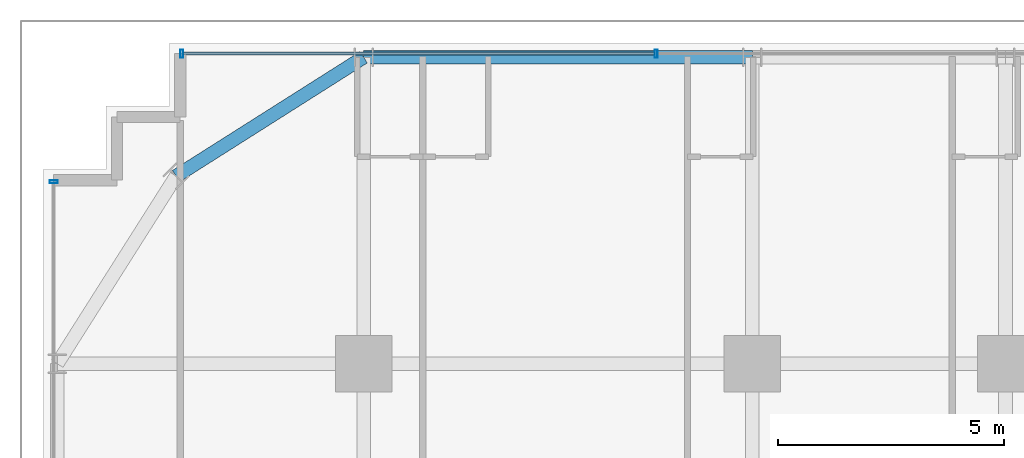
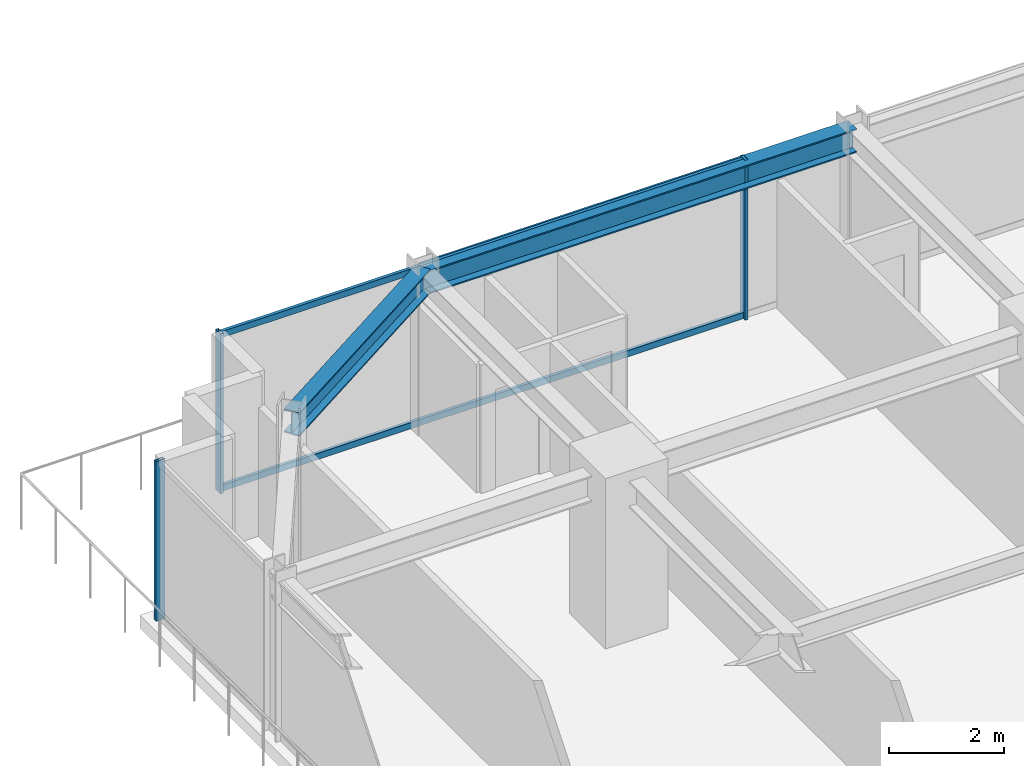
# One storey, part 19 of 34: 5 members, 2 beams, 2 elements without a shape of their own.
"""IFC4 building model written with IfcOpenShell, lengths in metres."""

from ifc_helpers import new_model, si_unit, direction, frame, origin, origin_2d, place, context, subcontext, project, spatial, hollow_rectangle, i_section, extrude, source, transform, mapped, material, material_profile, profile_set, type_object, element, aggregate, save


model = new_model("IFC4")

# Units and contexts
model_context = context("Model", 3, precision=1e-05, world=origin(), true_north=direction((0.0, 1.0)))
body_context = subcontext(model_context, "Body", "Model", "MODEL_VIEW")
ifc_project = project(units=[si_unit("LENGTHUNIT", "METRE"), si_unit("AREAUNIT", "SQUARE_METRE"), si_unit("VOLUMEUNIT", "CUBIC_METRE"), si_unit("PLANEANGLEUNIT", "RADIAN"), si_unit("MASSUNIT", "GRAM", prefix="KILO")], contexts=[model_context])

# Site, building, storey
site_placement = place(None, origin())
site = spatial("IfcSite", under=ifc_project, at=site_placement, CompositionType="ELEMENT")
building_placement = place(site_placement, origin())
building = spatial("IfcBuilding", under=site, at=building_placement, Name="Nahalor Promenade Grand Hotel", CompositionType="ELEMENT")
storey_placement = place(building_placement, frame((0.0, 0.0, 88.300048828125)))
storey = spatial("IfcBuildingStorey", under=building, at=storey_placement, Name="L21", CompositionType="ELEMENT", Elevation=88.300048828125)

# Beams
ifc_material_1 = material(Name="Steel S355JR", Category="steel")
ifc_material_profile_1 = material_profile(ifc_material_1, i_section(OverallWidth=0.3, OverallDepth=0.5, WebThickness=0.0145, FlangeThickness=0.028, at=origin_2d()), Name="HEB 500")
ifc_profile_set_1 = profile_set([ifc_material_profile_1], Name="Steel S355JR")
beam_type = type_object("IfcBeamType", Name="Beam-Spandrel-HEB500", PredefinedType="SPANDREL", material=ifc_profile_set_1)
shared_shape_1 = source(origin(), body_context, "Body", "SweptSolid", [
    extrude(i_section(OverallWidth=0.3, OverallDepth=0.5, WebThickness=0.0145, FlangeThickness=0.028, at=origin_2d()), origin(), (0.0, 0.0, 1.0), 8.60009765625),
])
beam_1_placement = place(storey_placement, frame((-17.0, 23.780029296875, 3.1298828125), z_axis=(1.0, 0.0, 0.0), x_axis=(0.0, 1.0, 0.0)))
element("IfcBeam", 1, at=beam_1_placement, inside=storey, type_object=beam_type, Name="BM-L21-SP-N-0", PredefinedType="SPANDREL", context=body_context, shape_type="MappedRepresentation", body=[
    mapped(shared_shape_1, transform((0.0, 0.0, 0.0), scale=1.0)),
])
shared_shape_2 = source(origin(), body_context, "Body", "SweptSolid", [
    extrude(i_section(OverallWidth=0.3, OverallDepth=0.5, WebThickness=0.0145, FlangeThickness=0.028, at=origin_2d()), origin(), (0.0, 0.0, 1.0), 4.9130859375),
])
beam_2_placement = place(storey_placement, frame((-17.0, 23.780029296875, 3.1298828125), z_axis=(-0.844648325505, -0.535321591403, 0.0), x_axis=(0.535321591403, -0.844648325505, 0.0)))
element("IfcBeam", 2, at=beam_2_placement, inside=storey, type_object=beam_type, Name="BM-L21-SPC-NW-1", PredefinedType="SPANDREL", context=body_context, shape_type="MappedRepresentation", body=[
    mapped(shared_shape_2, transform((0.0, 0.0, 0.0), scale=1.0)),
])

# Curtain wall, members
ifc_material_2 = material(Name="Anodised Bronze Aluminium EN AW-6063 T6", Category="aluminium")
curtain_wall_type = type_object("IfcCurtainWallType", Name="CW2 Typical Hotel Flush Bronze Unitised Curtain Wall", PredefinedType="USERDEFINED", material=ifc_material_2)
curtain_wall_1_placement = place(storey_placement, origin())
curtain_wall_1 = element("IfcCurtainWall", 3, at=curtain_wall_1_placement, inside=storey, type_object=curtain_wall_type, Name="L21 Curtain Wall CW-L21-N-1", ObjectType="UNITISED_CURTAIN_WALL", PredefinedType="USERDEFINED")
ifc_material_profile_2 = material_profile(ifc_material_2, hollow_rectangle(XDim=0.065, YDim=0.18, WallThickness=0.004, at=origin_2d()), Name="CWM 65x180x4")
ifc_profile_set_2 = profile_set([ifc_material_profile_2], Name="Anodised Bronze Aluminium EN AW-6063 T6")
member_type_1 = type_object("IfcMemberType", Name="CWM2 Typical Bronze Mullion 65x180", PredefinedType="MULLION", material=ifc_profile_set_2)
shared_shape_3 = source(origin(), body_context, "Body", "SweptSolid", [
    extrude(hollow_rectangle(XDim=0.065, YDim=0.18, WallThickness=0.004, at=origin_2d()), origin(), (0.0, 0.0, 1.0), 3.3798828125),
])
member_1_placement = place(storey_placement, frame((-21.027587890625, 23.860107421875, 0.0), z_axis=(0.0, 0.0, 1.0), x_axis=(1.0, 0.0, 0.0)))
member_1 = element("IfcMember", 4, at=member_1_placement, type_object=member_type_1, Name="CW-L21-N-1 Mullion 0", PredefinedType="MULLION", context=body_context, shape_type="MappedRepresentation", body=[
    mapped(shared_shape_3, transform((0.0, 0.0, 0.0), scale=1.0)),
])
member_2_placement = place(storey_placement, frame((-10.530029296875, 23.860107421875, 0.0), z_axis=(0.0, 0.0, 1.0), x_axis=(1.0, 0.0, 0.0)))
member_2 = element("IfcMember", 5, at=member_2_placement, type_object=member_type_1, Name="CW-L21-N-1 Mullion 1", PredefinedType="MULLION", context=body_context, shape_type="MappedRepresentation", body=[
    mapped(shared_shape_3, transform((0.0, 0.0, 0.0), scale=1.0)),
])

# Curtain wall, member
curtain_wall_2_placement = place(storey_placement, origin())
curtain_wall_2 = element("IfcCurtainWall", 6, at=curtain_wall_2_placement, inside=storey, type_object=curtain_wall_type, Name="L21 Curtain Wall CW-L21-W-1", ObjectType="UNITISED_CURTAIN_WALL", PredefinedType="USERDEFINED")
member_3_placement = place(storey_placement, frame((-23.860107421875, 21.027587890625, 0.0), z_axis=(0.0, 0.0, 1.0), x_axis=(0.0, 1.0, 0.0)))
member_3 = element("IfcMember", 7, at=member_3_placement, type_object=member_type_1, Name="CW-L21-W-1 Mullion 4", PredefinedType="MULLION", context=body_context, shape_type="MappedRepresentation", body=[
    mapped(shared_shape_3, transform((0.0, 0.0, 0.0), scale=1.0)),
])
aggregate(curtain_wall_2, [member_3])

# Member
ifc_material_profile_3 = material_profile(ifc_material_2, hollow_rectangle(XDim=0.065, YDim=0.13, WallThickness=0.004, at=origin_2d()), Name="CWT 65x130x4")
ifc_profile_set_3 = profile_set([ifc_material_profile_3], Name="Anodised Bronze Aluminium EN AW-6063 T6")
member_type_2 = type_object("IfcMemberType", Name="CWT2 Typical Bronze Transom 65x130", PredefinedType="USERDEFINED", material=ifc_profile_set_3)
shared_shape_4 = source(origin(), body_context, "Body", "SweptSolid", [
    extrude(hollow_rectangle(XDim=0.065, YDim=0.13, WallThickness=0.004, at=origin_2d()), origin(), (0.0, 0.0, 1.0), 10.4326171875),
])
member_4_placement = place(storey_placement, frame((-20.9951171875, 23.860107421875, 0.06494140625), z_axis=(1.0, 0.0, 0.0), x_axis=(0.0, 1.0, 0.0)))
member_4 = element("IfcMember", 8, at=member_4_placement, type_object=member_type_2, Name="CW-L21-N-1 Transom 0-0", ObjectType="TRANSOM", PredefinedType="USERDEFINED", context=body_context, shape_type="MappedRepresentation", body=[
    mapped(shared_shape_4, transform((0.0, 0.0, 0.0), scale=1.0)),
])

member_5_placement = place(storey_placement, frame((-20.9951171875, 23.860107421875, 3.31494140625), z_axis=(1.0, 0.0, 0.0), x_axis=(0.0, 1.0, 0.0)))
member_5 = element("IfcMember", 9, at=member_5_placement, type_object=member_type_2, Name="CW-L21-N-1 Transom 0-1", ObjectType="TRANSOM", PredefinedType="USERDEFINED", context=body_context, shape_type="MappedRepresentation", body=[
    mapped(shared_shape_4, transform((0.0, 0.0, 0.0), scale=1.0)),
])

aggregate(curtain_wall_1, [member_1, member_2, member_4, member_5])

save(model, "model.ifc")
